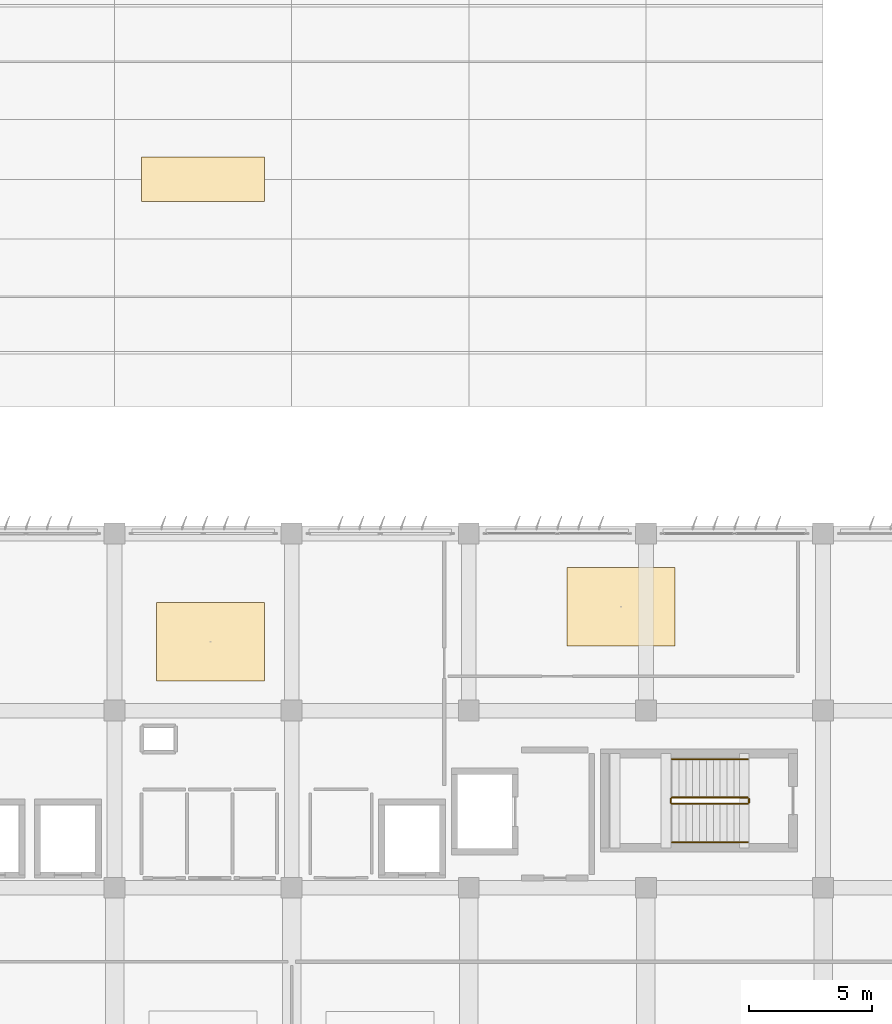
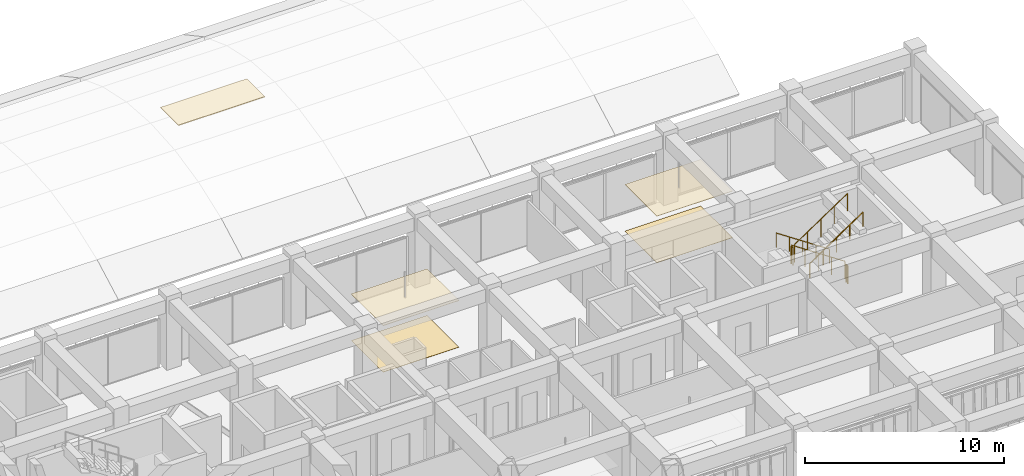
# One storey, part 54 of 56: 6 railings, 5 coverings.
"""IFC4 building model written with IfcOpenShell, lengths in metres."""

from ifc_helpers import new_model, si_unit, direction, frame, origin, origin_2d, place, context, subcontext, project, spatial, rectangle, circle, extrude, material, layer, layer_set, type_object, element, save


model = new_model("IFC4")

# Units and contexts
model_context = context("Model", 3, precision=1e-05, world=origin(), true_north=direction((0.0, 1.0)))
body_context = subcontext(model_context, "Body", "Model", "MODEL_VIEW")
ifc_project = project(units=[si_unit("LENGTHUNIT", "METRE"), si_unit("AREAUNIT", "SQUARE_METRE"), si_unit("VOLUMEUNIT", "CUBIC_METRE"), si_unit("PLANEANGLEUNIT", "RADIAN"), si_unit("MASSUNIT", "GRAM", prefix="KILO")], contexts=[model_context])

# Site, building, storey
site_placement = place(None, origin())
site = spatial("IfcSite", under=ifc_project, at=site_placement, CompositionType="ELEMENT")
building_placement = place(site_placement, origin())
building = spatial("IfcBuilding", under=site, at=building_placement, Name="Kazehaya Institute of Natural Sciences", CompositionType="ELEMENT")
storey_placement = place(building_placement, frame((0.0, 0.0, 24.300048828125)))
storey = spatial("IfcBuildingStorey", under=building, at=storey_placement, Name="L05", CompositionType="ELEMENT", Elevation=24.300048828125)

# Coverings
ifc_material_1 = material(Name="Mineral-fibre acoustic ceiling tile")
ifc_layer_1 = layer(ifc_material_1, 0.02490234375, Name="Mineral-fibre acoustic ceiling tile")
ifc_layer_set_1 = layer_set([ifc_layer_1], Name="Mineral-fibre acoustic ceiling tile")
covering_type_1 = type_object("IfcCoveringType", Name="COV-CEIL-AC", PredefinedType="CEILING", material=ifc_layer_set_1)
for number, where, z_axis, x_axis, name in (
    (1, (87.302001953125, 31.19580078125, 2.847412109375), (0.0, 0.0, 1.0), (1.0, 0.0, 0.0), "L05 Atmospheric Chemistry Laboratory ceiling 51"),
    (2, (103.989990234375, 32.625, 2.847412109375), (0.0, 0.0, 1.0), (1.0, 0.0, 0.0), "L05 Shared NMR and Optical Instrument Suite ceiling 52"),
):
    element("IfcCovering", number, at=place(storey_placement, frame(where, z_axis=z_axis, x_axis=x_axis)), inside=storey, type_object=covering_type_1, Name=name, PredefinedType="CEILING", context=body_context, shape_type="SweptSolid", body=[
        extrude(rectangle(XDim=4.39990234375, YDim=3.199951171875, at=origin_2d()), origin(), (0.0, 0.0, 1.0), 0.02490234375),
    ])
ifc_material_2 = material(Name="Seamless chemical-resistant epoxy flooring")
ifc_layer_2 = layer(ifc_material_2, 0.014892578125, Name="Seamless chemical-resistant epoxy flooring")
ifc_layer_set_2 = layer_set([ifc_layer_2], Name="Seamless chemical-resistant epoxy flooring")
covering_type_2 = type_object("IfcCoveringType", Name="COV-FLR-EPX", PredefinedType="FLOORING", material=ifc_layer_set_2)
for number, where, z_axis, x_axis, name in (
    (3, (87.302001953125, 31.19580078125, 0.0), (0.0, 0.0, 1.0), (1.0, 0.0, 0.0), "L05 Atmospheric Chemistry Laboratory finish flooring 51"),
    (4, (103.989990234375, 32.625, 0.0), (0.0, 0.0, 1.0), (1.0, 0.0, 0.0), "L05 Shared NMR and Optical Instrument Suite finish flooring 52"),
):
    element("IfcCovering", number, at=place(storey_placement, frame(where, z_axis=z_axis, x_axis=x_axis)), inside=storey, type_object=covering_type_2, Name=name, PredefinedType="FLOORING", context=body_context, shape_type="SweptSolid", body=[
        extrude(rectangle(XDim=4.39990234375, YDim=3.199951171875, at=origin_2d()), origin(), (0.0, 0.0, 1.0), 0.014892578125),
    ])
ifc_material_3 = material(Name="Copper standing-seam roofing", Category="copper")
ifc_layer_3 = layer(ifc_material_3, 0.0400390625, Name="Copper standing-seam roofing", Category="copper")
ifc_layer_set_3 = layer_set([ifc_layer_3], Name="Copper standing-seam roofing")
covering_type_3 = type_object("IfcCoveringType", Name="COV-ROOF-CU", PredefinedType="ROOFING", material=ifc_layer_set_3)
covering_placement = place(storey_placement, frame((87.0, 50.0, 3.5), z_axis=(0.0, 0.0, 1.0), x_axis=(1.0, 0.0, 0.0)))
element("IfcCovering", 5, at=covering_placement, inside=storey, type_object=covering_type_3, Name="L05 standing-seam roof covering 2", PredefinedType="ROOFING", context=body_context, shape_type="SweptSolid", body=[
    extrude(rectangle(XDim=5.0, YDim=1.800048828125, at=origin_2d()), origin(), (0.0, 0.0, 1.0), 0.0400390625),
])

# Railings
ifc_material_4 = material(Name="Structural steel SN490B", Category="steel")
railing_type_1 = type_object("IfcRailingType", Name="RL-STAIR-GRD", PredefinedType="GUARDRAIL", material=ifc_material_4)
railing_1_placement = place(storey_placement, frame((109.139892578125, 24.8701171875, 0.1875)))
element("IfcRailing", 6, at=railing_1_placement, inside=storey, type_object=railing_type_1, Name="L05 ST-2 stair guard 1", PredefinedType="GUARDRAIL", context=body_context, shape_type="SweptSolid", body=[
    extrude(circle(Radius=0.02392578125, at=origin_2d()), frame((0.0, 0.0, 1.076171875), z_axis=(-0.830893310487, 0.0, 0.556431762742), x_axis=(0.0, -1.0, 0.0)), (0.0, 0.0, 1.0), 3.70654296875),
    extrude(circle(Radius=0.02099609375, at=origin_2d()), origin(), (0.0, 0.0, 1.0), 1.052001953125),
    extrude(circle(Radius=0.02099609375, at=origin_2d()), frame((-0.77001953125, 0.0, 0.515625)), (0.0, 0.0, 1.0), 1.052001953125),
    extrude(circle(Radius=0.02099609375, at=origin_2d()), frame((-1.5400390625, 0.0, 1.03125)), (0.0, 0.0, 1.0), 1.052001953125),
    extrude(circle(Radius=0.02099609375, at=origin_2d()), frame((-2.309814453125, 0.0, 1.546875)), (0.0, 0.0, 1.0), 1.052001953125),
    extrude(circle(Radius=0.02099609375, at=origin_2d()), frame((-3.079833984375, 0.0, 2.0625)), (0.0, 0.0, 1.0), 1.052001953125),
])
railing_2_placement = place(storey_placement, frame((106.010009765625, 24.820068359375, 2.25)))
element("IfcRailing", 7, at=railing_2_placement, inside=storey, type_object=railing_type_1, Name="L05 ST-2 stair guard 2", PredefinedType="GUARDRAIL", context=body_context, shape_type="SweptSolid", body=[
    extrude(circle(Radius=0.02392578125, at=origin_2d()), frame((0.0, 0.0, 1.076171875), z_axis=(0.0, -1.0, 0.0), x_axis=(1.0, 0.0, 0.0)), (0.0, 0.0, 1.0), 0.16015625),
    extrude(circle(Radius=0.02099609375, at=origin_2d()), origin(), (0.0, 0.0, 1.0), 1.052001953125),
    extrude(circle(Radius=0.02099609375, at=origin_2d()), frame((0.0, -0.16015625, 0.0)), (0.0, 0.0, 1.0), 1.052001953125),
])
railing_3_placement = place(storey_placement, frame((106.06005859375, 24.610107421875, 2.4375)))
element("IfcRailing", 8, at=railing_3_placement, inside=storey, type_object=railing_type_1, Name="L05 ST-2 stair guard 3", PredefinedType="GUARDRAIL", context=body_context, shape_type="SweptSolid", body=[
    extrude(circle(Radius=0.02392578125, at=origin_2d()), frame((0.0, 0.0, 1.076171875), z_axis=(0.830893310487, 0.0, 0.556431762742), x_axis=(0.0, 1.0, 0.0)), (0.0, 0.0, 1.0), 3.70654296875),
    extrude(circle(Radius=0.02099609375, at=origin_2d()), origin(), (0.0, 0.0, 1.0), 1.052001953125),
    extrude(circle(Radius=0.02099609375, at=origin_2d()), frame((0.77001953125, 0.0, 0.515625)), (0.0, 0.0, 1.0), 1.052001953125),
    extrude(circle(Radius=0.02099609375, at=origin_2d()), frame((1.5400390625, 0.0, 1.03125)), (0.0, 0.0, 1.0), 1.052001953125),
    extrude(circle(Radius=0.02099609375, at=origin_2d()), frame((2.309814453125, 0.0, 1.546875)), (0.0, 0.0, 1.0), 1.052001953125),
    extrude(circle(Radius=0.02099609375, at=origin_2d()), frame((3.079833984375, 0.0, 2.0625)), (0.0, 0.0, 1.0), 1.052001953125),
])
railing_4_placement = place(storey_placement, frame((109.18994140625, 24.820068359375, 0.0)))
element("IfcRailing", 9, at=railing_4_placement, inside=storey, type_object=railing_type_1, Name="L05 ST-2 stair guard 4", PredefinedType="GUARDRAIL", context=body_context, shape_type="SweptSolid", body=[
    extrude(circle(Radius=0.02392578125, at=origin_2d()), frame((0.0, 0.0, 1.076171875), z_axis=(0.0, -1.0, 0.0), x_axis=(1.0, 0.0, 0.0)), (0.0, 0.0, 1.0), 0.16015625),
    extrude(circle(Radius=0.02099609375, at=origin_2d()), origin(), (0.0, 0.0, 1.0), 1.052001953125),
    extrude(circle(Radius=0.02099609375, at=origin_2d()), frame((0.0, -0.16015625, 0.0)), (0.0, 0.0, 1.0), 1.052001953125),
])
ifc_material_5 = material(Name="Brushed stainless steel handrail", Category="steel")
railing_type_2 = type_object("IfcRailingType", Name="RL-STAIR-HND", PredefinedType="HANDRAIL", material=ifc_material_5)
railing_5_placement = place(storey_placement, frame((109.139892578125, 26.429931640625, 0.1875)))
element("IfcRailing", 10, at=railing_5_placement, inside=storey, type_object=railing_type_2, Name="L05 ST-2 stair handrail 1", PredefinedType="HANDRAIL", context=body_context, shape_type="SweptSolid", body=[
    extrude(circle(Radius=0.02392578125, at=origin_2d()), frame((0.0, 0.0, 0.8759765625), z_axis=(-0.830893310487, 0.0, 0.556431762742), x_axis=(0.0, -1.0, 0.0)), (0.0, 0.0, 1.0), 3.70654296875),
    extrude(circle(Radius=0.02099609375, at=origin_2d()), origin(), (0.0, 0.0, 1.0), 0.851806640625),
    extrude(circle(Radius=0.02099609375, at=origin_2d()), frame((-0.77001953125, 0.0, 0.515625)), (0.0, 0.0, 1.0), 0.851806640625),
    extrude(circle(Radius=0.02099609375, at=origin_2d()), frame((-1.5400390625, 0.0, 1.03125)), (0.0, 0.0, 1.0), 0.851806640625),
    extrude(circle(Radius=0.02099609375, at=origin_2d()), frame((-2.309814453125, 0.0, 1.546875)), (0.0, 0.0, 1.0), 0.851806640625),
    extrude(circle(Radius=0.02099609375, at=origin_2d()), frame((-3.079833984375, 0.0, 2.0625)), (0.0, 0.0, 1.0), 0.851806640625),
])
railing_6_placement = place(storey_placement, frame((106.06005859375, 23.050048828125, 2.4375)))
element("IfcRailing", 11, at=railing_6_placement, inside=storey, type_object=railing_type_2, Name="L05 ST-2 stair handrail 2", PredefinedType="HANDRAIL", context=body_context, shape_type="SweptSolid", body=[
    extrude(circle(Radius=0.02392578125, at=origin_2d()), frame((0.0, 0.0, 0.8759765625), z_axis=(0.830893310487, 0.0, 0.556431762742), x_axis=(0.0, 1.0, 0.0)), (0.0, 0.0, 1.0), 3.70654296875),
    extrude(circle(Radius=0.02099609375, at=origin_2d()), origin(), (0.0, 0.0, 1.0), 0.851806640625),
    extrude(circle(Radius=0.02099609375, at=origin_2d()), frame((0.77001953125, 0.0, 0.515625)), (0.0, 0.0, 1.0), 0.851806640625),
    extrude(circle(Radius=0.02099609375, at=origin_2d()), frame((1.5400390625, 0.0, 1.03125)), (0.0, 0.0, 1.0), 0.851806640625),
    extrude(circle(Radius=0.02099609375, at=origin_2d()), frame((2.309814453125, 0.0, 1.546875)), (0.0, 0.0, 1.0), 0.851806640625),
    extrude(circle(Radius=0.02099609375, at=origin_2d()), frame((3.079833984375, 0.0, 2.0625)), (0.0, 0.0, 1.0), 0.851806640625),
])

save(model, "model.ifc")
